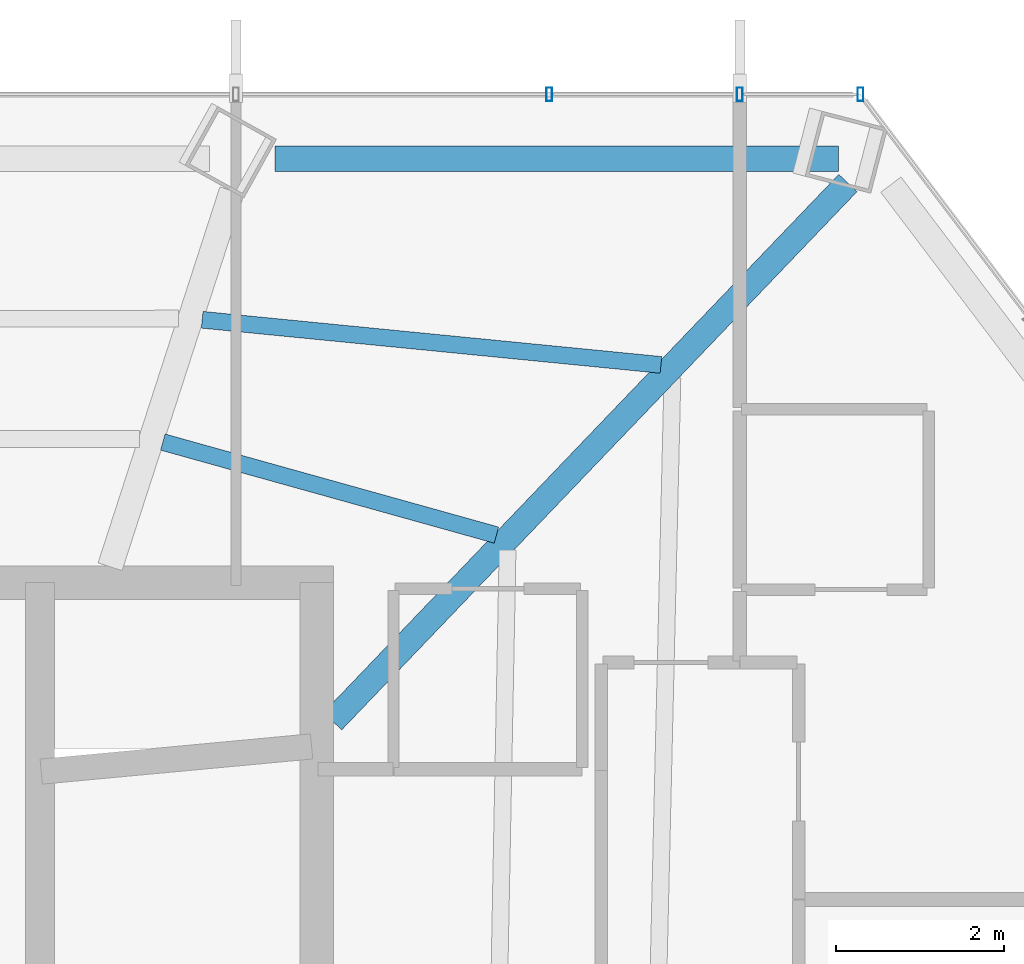
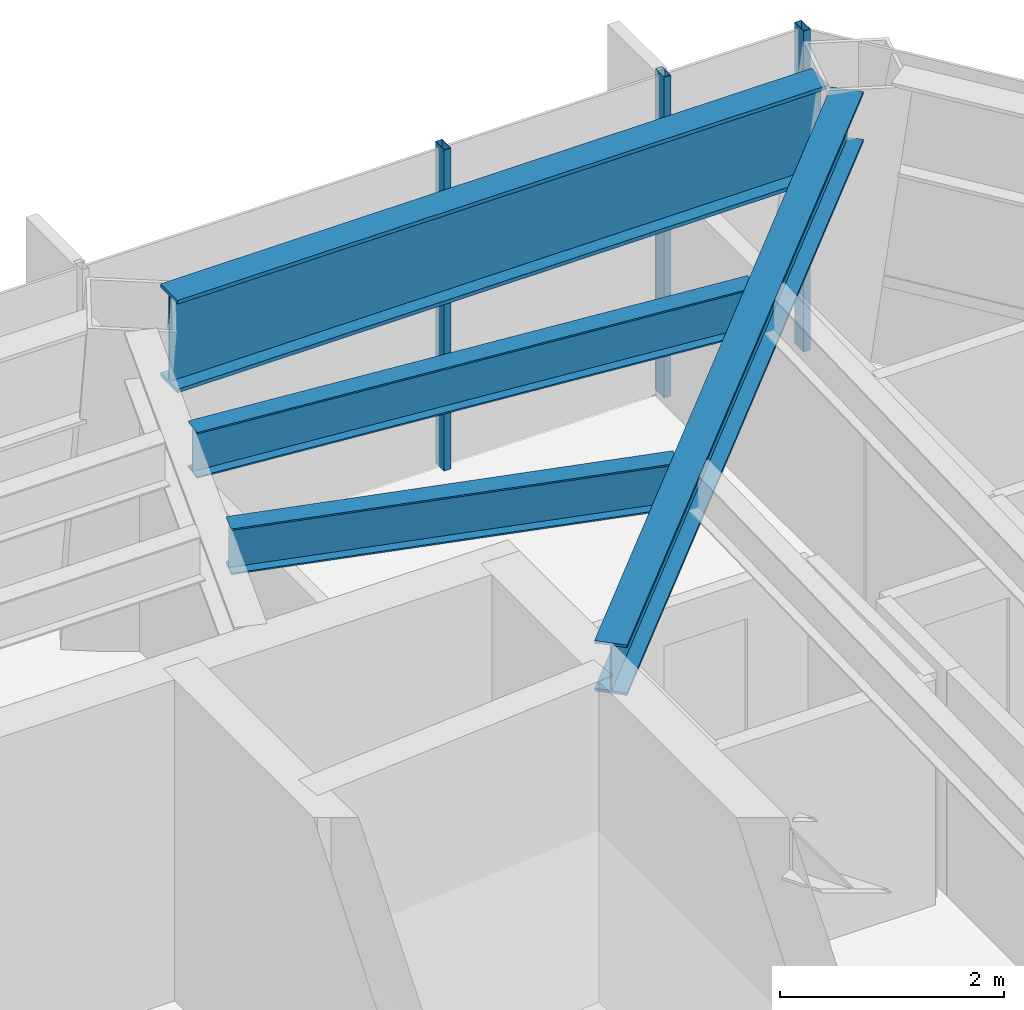
# One storey, part 24 of 30: 4 beams, 3 members, 1 element without a shape of its own.
"""IFC4 building model written with IfcOpenShell, lengths in metres."""

from ifc_helpers import new_model, si_unit, direction, frame, origin, origin_2d, place, context, subcontext, project, spatial, hollow_rectangle, i_section, extrude, material, layer, layer_set, material_profile, profile_set, type_object, element, aggregate, save


model = new_model("IFC4")

# Units and contexts
model_context = context("Model", 3, precision=1e-05, world=origin(), true_north=direction((0.0, 1.0)))
body_context = subcontext(model_context, "Body", "Model", "MODEL_VIEW")
ifc_project = project(units=[si_unit("LENGTHUNIT", "METRE"), si_unit("AREAUNIT", "SQUARE_METRE"), si_unit("VOLUMEUNIT", "CUBIC_METRE"), si_unit("PLANEANGLEUNIT", "RADIAN"), si_unit("MASSUNIT", "GRAM", prefix="KILO")], contexts=[model_context])

# Site, building, storey
site_placement = place(None, origin())
site = spatial("IfcSite", under=ifc_project, at=site_placement, CompositionType="ELEMENT")
building_placement = place(site_placement, origin())
building = spatial("IfcBuilding", under=site, at=building_placement, Name="Zarrinselat Tower", CompositionType="ELEMENT")
storey_placement = place(building_placement, frame((0.0, 0.0, 130.89990234375)))
storey = spatial("IfcBuildingStorey", under=building, at=storey_placement, Name="L31", CompositionType="ELEMENT", Elevation=130.89990234375)

# Beams
ifc_material_1 = material(Name="Steel S355J2", Category="steel")
ifc_material_profile_1 = material_profile(ifc_material_1, i_section(OverallWidth=0.300048828125, OverallDepth=0.550048828125, WebThickness=0.014892578125, FlangeThickness=0.029052734375, at=origin_2d()), Name="HEB 550")
ifc_profile_set_1 = profile_set([ifc_material_profile_1], Name="Steel S355J2")
beam_type_1 = type_object("IfcBeamType", Name="BM-HEB550", PredefinedType="BEAM", material=ifc_profile_set_1)
beam_1_placement = place(storey_placement, frame((48.449951171875, 41.800048828125, 3.22509765625), z_axis=(0.691574247742, 0.722305378535, 0.0), x_axis=(-0.722305378535, 0.691574247742, 0.0)))
element("IfcBeam", 1, at=beam_1_placement, inside=storey, type_object=beam_type_1, Name="L31 Radial Primary Girder RG01", PredefinedType="BEAM", context=body_context, shape_type="SweptSolid", body=[
    extrude(i_section(OverallWidth=0.300048828125, OverallDepth=0.550048828125, WebThickness=0.014892578125, FlangeThickness=0.029052734375, at=origin_2d()), origin(), (0.0, 0.0, 1.0), 8.8740234375),
])
ifc_material_2 = material(Name="Steel S460M", Category="steel")
ifc_material_profile_2 = material_profile(ifc_material_2, i_section(OverallWidth=0.302001953125, OverallDepth=1.008056640625, WebThickness=0.02099609375, FlangeThickness=0.0400390625, at=origin_2d()), Name="HEM 1000")
ifc_profile_set_2 = profile_set([ifc_material_profile_2], Name="Steel S460M")
beam_type_2 = type_object("IfcBeamType", Name="BM-HEM1000", PredefinedType="BEAM", material=ifc_profile_set_2)
beam_2_placement = place(storey_placement, frame((47.762939453125, 48.5, 2.99609375), z_axis=(1.0, 0.0, 0.0), x_axis=(0.0, 1.0, 0.0)))
element("IfcBeam", 2, at=beam_2_placement, inside=storey, type_object=beam_type_2, Name="L31 Perimeter Spandrel Girder SP01", PredefinedType="BEAM", context=body_context, shape_type="SweptSolid", body=[
    extrude(i_section(OverallWidth=0.302001953125, OverallDepth=1.008056640625, WebThickness=0.02099609375, FlangeThickness=0.0400390625, at=origin_2d()), origin(), (0.0, 0.0, 1.0), 6.714111328125),
])
ifc_material_3 = material(Name="Steel S355J2", Category="steel")
ifc_material_profile_3 = material_profile(ifc_material_3, i_section(OverallWidth=0.199951171875, OverallDepth=0.5, WebThickness=0.01025390625, FlangeThickness=0.01611328125, at=origin_2d()), Name="IPE 500")
ifc_profile_set_3 = profile_set([ifc_material_profile_3], Name="Steel S355J2")
beam_type_3 = type_object("IfcBeamType", Name="BM-IPE500", PredefinedType="JOIST", material=ifc_profile_set_3)
beam_3_placement = place(storey_placement, frame((46.89697265625, 46.58154296875, 3.25), z_axis=(0.995194854062, -0.097914260696, 0.0), x_axis=(0.097914260696, 0.995194854062, 0.0)))
element("IfcBeam", 3, at=beam_3_placement, inside=storey, type_object=beam_type_3, Name="L31 Composite Floor Joist 6-1", PredefinedType="JOIST", context=body_context, shape_type="SweptSolid", body=[
    extrude(i_section(OverallWidth=0.199951171875, OverallDepth=0.5, WebThickness=0.01025390625, FlangeThickness=0.01611328125, at=origin_2d()), origin(), (0.0, 0.0, 1.0), 5.490478515625),
])
beam_4_placement = place(storey_placement, frame((46.42822265625, 45.124755859375, 3.25), z_axis=(0.963255434512, -0.268586983829, 0.0), x_axis=(0.268586983829, 0.963255434512, 0.0)))
element("IfcBeam", 4, at=beam_4_placement, inside=storey, type_object=beam_type_3, Name="L31 Composite Floor Joist 6-2", PredefinedType="JOIST", context=body_context, shape_type="SweptSolid", body=[
    extrude(i_section(OverallWidth=0.199951171875, OverallDepth=0.5, WebThickness=0.01025390625, FlangeThickness=0.01611328125, at=origin_2d()), origin(), (0.0, 0.0, 1.0), 4.125),
])

# Curtain wall, members
ifc_material_4 = material(Name="Extruded Aluminium Alloy EN AW-6063 T6", Category="aluminium")
ifc_layer = layer(ifc_material_4, 0.175048828125)
ifc_layer_set = layer_set([ifc_layer], Name="Extruded Aluminium Alloy EN AW-6063 T6")
curtain_wall_type = type_object("IfcCurtainWallType", Name="CWS-HTL", PredefinedType="NOTDEFINED", material=ifc_layer_set)
curtain_wall_placement = place(storey_placement, origin())
curtain_wall = element("IfcCurtainWall", 5, at=curtain_wall_placement, inside=storey, type_object=curtain_wall_type, Name="L31 Unitised Curtain Wall CW-L31-E01", PredefinedType="NOTDEFINED")
ifc_material_5 = material(Name="Extruded Aluminium Alloy EN AW-6063 T6", Category="aluminium")
ifc_material_profile_4 = material_profile(ifc_material_5, hollow_rectangle(XDim=0.070068359375, YDim=0.159912109375, WallThickness=0.00390625, at=origin_2d()), Name="RHS 160x70x4")
ifc_profile_set_4 = profile_set([ifc_material_profile_4], Name="Extruded Aluminium Alloy EN AW-6063 T6")
member_type = type_object("IfcMemberType", Name="MEM-CW-MUL2", PredefinedType="MULLION", material=ifc_profile_set_4)
member_1_placement = place(storey_placement, frame((54.737548828125, 49.2666015625, 0.0), z_axis=(0.0, 0.0, 1.0), x_axis=(-1.0, 0.0, 0.0)))
member_1 = element("IfcMember", 6, at=member_1_placement, type_object=member_type, Name="CW-L31-E01 Mullion 0", PredefinedType="MULLION", context=body_context, shape_type="SweptSolid", body=[
    extrude(hollow_rectangle(XDim=0.070068359375, YDim=0.159912109375, WallThickness=0.00390625, at=origin_2d()), origin(), (0.0, 0.0, 1.0), 3.5),
])
member_2_placement = place(storey_placement, frame((53.300048828125, 49.2666015625, 0.0), z_axis=(0.0, 0.0, 1.0), x_axis=(-1.0, 0.0, 0.0)))
member_2 = element("IfcMember", 7, at=member_2_placement, type_object=member_type, Name="CW-L31-E01 Mullion 1", PredefinedType="MULLION", context=body_context, shape_type="SweptSolid", body=[
    extrude(hollow_rectangle(XDim=0.070068359375, YDim=0.159912109375, WallThickness=0.00390625, at=origin_2d()), origin(), (0.0, 0.0, 1.0), 3.5),
])
member_3_placement = place(storey_placement, frame((51.031982421875, 49.2666015625, 0.0), z_axis=(0.0, 0.0, 1.0), x_axis=(-1.0, 0.0, 0.0)))
member_3 = element("IfcMember", 8, at=member_3_placement, type_object=member_type, Name="CW-L31-E01 Mullion 2", PredefinedType="MULLION", context=body_context, shape_type="SweptSolid", body=[
    extrude(hollow_rectangle(XDim=0.070068359375, YDim=0.159912109375, WallThickness=0.00390625, at=origin_2d()), origin(), (0.0, 0.0, 1.0), 3.5),
])
aggregate(curtain_wall, [member_1, member_2, member_3])

save(model, "model.ifc")
